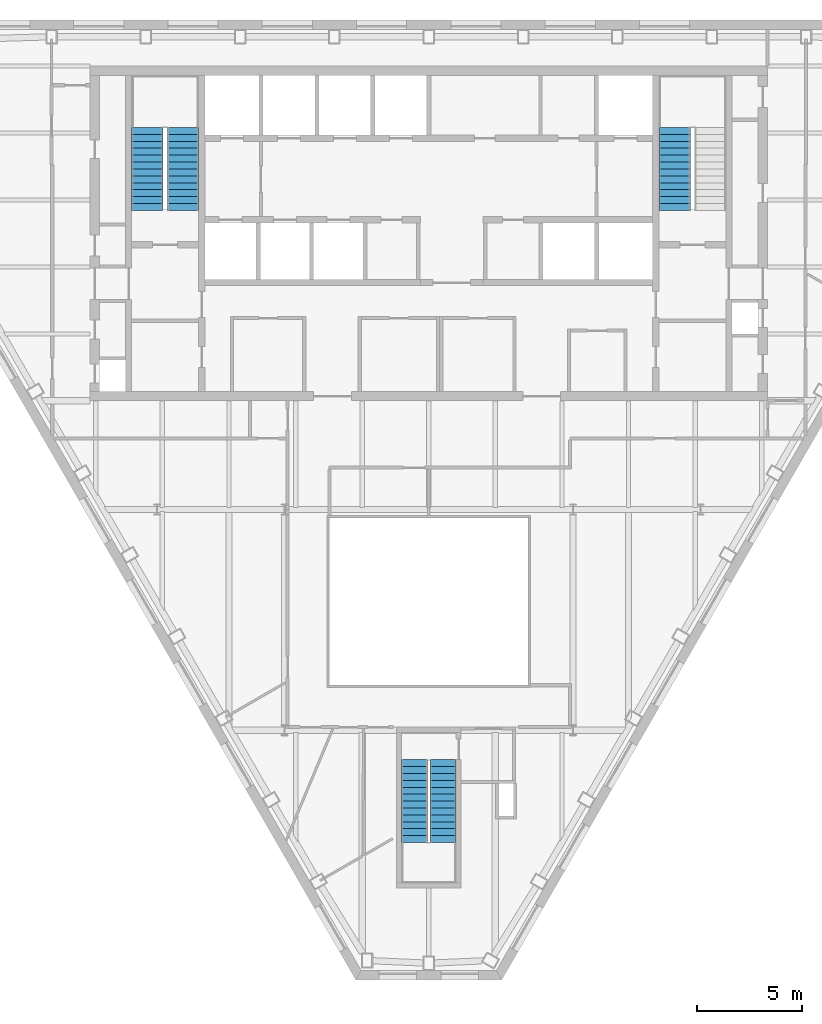
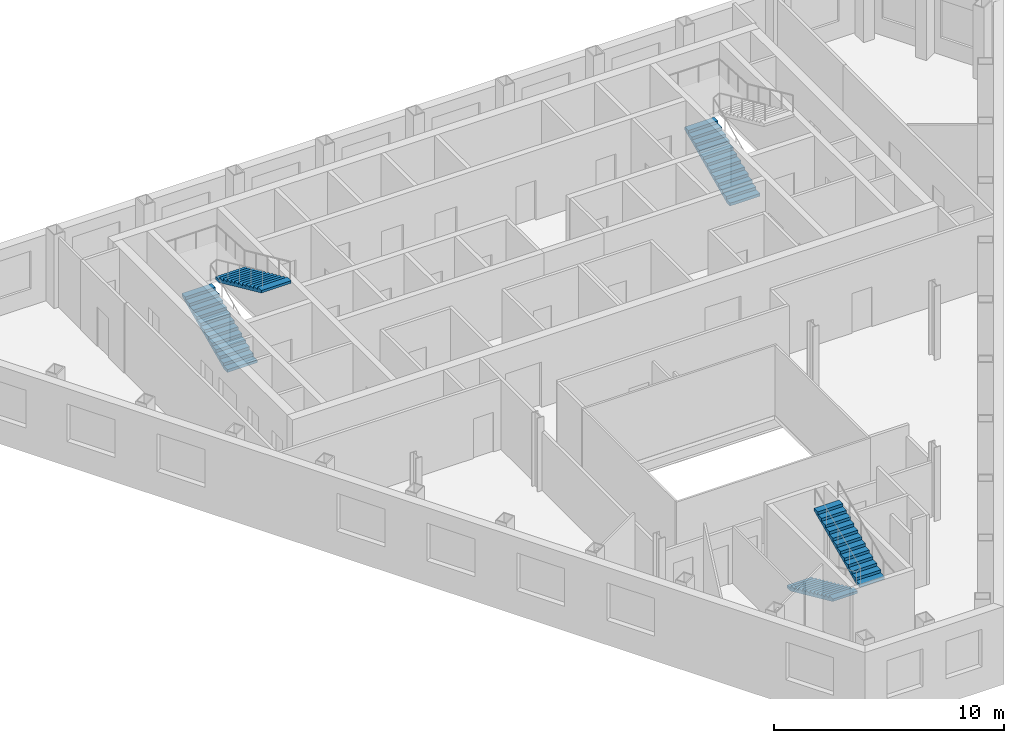
# One storey, part 9 of 11: 5 stair flights, 3 elements without a shape of their own.
"""IFC4 building model written with IfcOpenShell, lengths in metres."""

from ifc_helpers import new_model, si_unit, direction, frame, origin, place, context, subcontext, project, spatial, polygons, material, type_object, element, aggregate, save


model = new_model("IFC4")

# Units and contexts
model_context = context("Model", 3, precision=1e-05, world=origin(), true_north=direction((0.0, 1.0)))
body_context = subcontext(model_context, "Body", "Model", "MODEL_VIEW")
ifc_project = project(units=[si_unit("LENGTHUNIT", "METRE"), si_unit("AREAUNIT", "SQUARE_METRE"), si_unit("VOLUMEUNIT", "CUBIC_METRE"), si_unit("PLANEANGLEUNIT", "RADIAN"), si_unit("MASSUNIT", "GRAM", prefix="KILO")], contexts=[model_context])

# Site, building, storey
site_placement = place(None, origin())
site = spatial("IfcSite", under=ifc_project, at=site_placement, CompositionType="ELEMENT")
building_placement = place(site_placement, origin())
building = spatial("IfcBuilding", under=site, at=building_placement, Name="Njiva Tower", CompositionType="ELEMENT")
storey_placement = place(building_placement, frame((0.0, 0.0, 223.8)))
storey = spatial("IfcBuildingStorey", under=building, at=storey_placement, Name="L50", CompositionType="ELEMENT", Elevation=223.8)

# Stair, stair flights
ifc_material = material(Name="Concrete C40/50", Category="concrete")
stair_type_1 = type_object("IfcStairType", Name="ST1 Exit stair 1250", PredefinedType="HALF_TURN_STAIR", material=ifc_material)
stair_1_placement = place(storey_placement, origin())
stair_1 = element("IfcStair", 1, at=stair_1_placement, inside=storey, type_object=stair_type_1, Name="Stair C", PredefinedType="HALF_TURN_STAIR")
stair_flight_type_1 = type_object("IfcStairFlightType", Name="FL1 Stair flight 1250", PredefinedType="STRAIGHT", material=ifc_material)
stair_flight_1_placement = place(storey_placement, frame((-0.675, -15.16, 0.0), z_axis=(0.0, 0.0, 1.0), x_axis=(0.0, -1.0, 0.0)))
stair_flight_1 = element("IfcStairFlight", 2, at=stair_flight_1_placement, type_object=stair_flight_type_1, Name="ST-C flight 1", NumberOfRisers=13, NumberOfTreads=12, PredefinedType="STRAIGHT", RiserHeight=0.15, TreadLength=0.33, context=body_context, shape_type="Tessellation", body=[
    polygons([(0.0, 0.625, 0.0), (0.0, 0.3125, 0.0), (0.0, 0.0, 0.0), (0.0, -0.3125, 0.0), (0.0, -0.625, 0.0), (0.0, 0.625, 0.15), (0.0, 0.3125, 0.15), (0.0, 0.0, 0.15), (0.0, -0.3125, 0.15), (0.0, -0.625, 0.15), (0.33, 0.625, 0.15), (0.33, 0.3125, 0.15), (0.33, 0.0, 0.15), (0.33, -0.3125, 0.15), (0.33, -0.625, 0.15), (0.33, 0.625, 0.3), (0.33, 0.3125, 0.3), (0.33, 0.0, 0.3), (0.33, -0.3125, 0.3), (0.33, -0.625, 0.3), (0.66, 0.625, 0.3), (0.66, 0.3125, 0.3), (0.66, 0.0, 0.3), (0.66, -0.3125, 0.3), (0.66, -0.625, 0.3), (0.66, 0.625, 0.45), (0.66, 0.3125, 0.45), (0.66, 0.0, 0.45), (0.66, -0.3125, 0.45), (0.66, -0.625, 0.45), (0.99, 0.625, 0.45), (0.99, 0.3125, 0.45), (0.99, 0.0, 0.45), (0.99, -0.3125, 0.45), (0.99, -0.625, 0.45), (0.99, 0.625, 0.6), (0.99, 0.3125, 0.6), (0.99, 0.0, 0.6), (0.99, -0.3125, 0.6), (0.99, -0.625, 0.6), (1.32, 0.625, 0.6), (1.32, 0.3125, 0.6), (1.32, 0.0, 0.6), (1.32, -0.3125, 0.6), (1.32, -0.625, 0.6), (1.32, 0.625, 0.75), (1.32, 0.3125, 0.75), (1.32, 0.0, 0.75), (1.32, -0.3125, 0.75), (1.32, -0.625, 0.75), (1.65, 0.625, 0.75), (1.65, 0.3125, 0.75), (1.65, 0.0, 0.75), (1.65, -0.3125, 0.75), (1.65, -0.625, 0.75), (1.65, 0.625, 0.9), (1.65, 0.3125, 0.9), (1.65, 0.0, 0.9), (1.65, -0.3125, 0.9), (1.65, -0.625, 0.9), (1.98, 0.625, 0.9), (1.98, 0.3125, 0.9), (1.98, 0.0, 0.9), (1.98, -0.3125, 0.9), (1.98, -0.625, 0.9), (1.98, 0.625, 1.05), (1.98, 0.3125, 1.05), (1.98, 0.0, 1.05), (1.98, -0.3125, 1.05), (1.98, -0.625, 1.05), (2.31, 0.625, 1.05), (2.31, 0.3125, 1.05), (2.31, 0.0, 1.05), (2.31, -0.3125, 1.05), (2.31, -0.625, 1.05), (2.31, 0.625, 1.2), (2.31, 0.3125, 1.2), (2.31, 0.0, 1.2), (2.31, -0.3125, 1.2), (2.31, -0.625, 1.2), (2.64, 0.625, 1.2), (2.64, 0.3125, 1.2), (2.64, 0.0, 1.2), (2.64, -0.3125, 1.2), (2.64, -0.625, 1.2), (2.64, 0.625, 1.35), (2.64, 0.3125, 1.35), (2.64, 0.0, 1.35), (2.64, -0.3125, 1.35), (2.64, -0.625, 1.35), (2.97, 0.625, 1.35), (2.97, 0.3125, 1.35), (2.97, 0.0, 1.35), (2.97, -0.3125, 1.35), (2.97, -0.625, 1.35), (2.97, 0.625, 1.5), (2.97, 0.3125, 1.5), (2.97, 0.0, 1.5), (2.97, -0.3125, 1.5), (2.97, -0.625, 1.5), (3.3, 0.625, 1.5), (3.3, 0.3125, 1.5), (3.3, 0.0, 1.5), (3.3, -0.3125, 1.5), (3.3, -0.625, 1.5), (3.3, 0.625, 1.65), (3.3, 0.3125, 1.65), (3.3, 0.0, 1.65), (3.3, -0.3125, 1.65), (3.3, -0.625, 1.65), (3.63, 0.625, 1.65), (3.63, 0.3125, 1.65), (3.63, 0.0, 1.65), (3.63, -0.3125, 1.65), (3.63, -0.625, 1.65), (3.63, 0.625, 1.8), (3.63, 0.3125, 1.8), (3.63, 0.0, 1.8), (3.63, -0.3125, 1.8), (3.63, -0.625, 1.8), (3.96, 0.625, 1.8), (3.96, 0.3125, 1.8), (3.96, 0.0, 1.8), (3.96, -0.3125, 1.8), (3.96, -0.625, 1.8), (3.96, 0.625, 1.6682), (3.96, 0.3125, 1.6682), (3.96, 0.0, 1.6682), (3.96, -0.3125, 1.6682), (3.96, -0.625, 1.6682), (0.29, 0.625, 0.0), (0.29, 0.3125, 0.0), (0.29, 0.0, 0.0), (0.29, -0.3125, 0.0), (0.29, -0.625, 0.0)], [[[1, 6, 11, 16, 21, 26, 31, 36, 41, 46, 51, 56, 61, 66, 71, 76, 81, 86, 91, 96, 101, 106, 111, 116, 121, 126, 131]], [[135, 130, 125, 120, 115, 110, 105, 100, 95, 90, 85, 80, 75, 70, 65, 60, 55, 50, 45, 40, 35, 30, 25, 20, 15, 10, 5]], [[6, 1, 2, 7]], [[7, 2, 3, 8]], [[8, 3, 4, 9]], [[9, 4, 5, 10]], [[11, 6, 7, 12]], [[12, 7, 8, 13]], [[13, 8, 9, 14]], [[14, 9, 10, 15]], [[16, 11, 12, 17]], [[17, 12, 13, 18]], [[18, 13, 14, 19]], [[19, 14, 15, 20]], [[21, 16, 17, 22]], [[22, 17, 18, 23]], [[23, 18, 19, 24]], [[24, 19, 20, 25]], [[26, 21, 22, 27]], [[27, 22, 23, 28]], [[28, 23, 24, 29]], [[29, 24, 25, 30]], [[31, 26, 27, 32]], [[32, 27, 28, 33]], [[33, 28, 29, 34]], [[34, 29, 30, 35]], [[36, 31, 32, 37]], [[37, 32, 33, 38]], [[38, 33, 34, 39]], [[39, 34, 35, 40]], [[41, 36, 37, 42]], [[42, 37, 38, 43]], [[43, 38, 39, 44]], [[44, 39, 40, 45]], [[46, 41, 42, 47]], [[47, 42, 43, 48]], [[48, 43, 44, 49]], [[49, 44, 45, 50]], [[51, 46, 47, 52]], [[52, 47, 48, 53]], [[53, 48, 49, 54]], [[54, 49, 50, 55]], [[56, 51, 52, 57]], [[57, 52, 53, 58]], [[58, 53, 54, 59]], [[59, 54, 55, 60]], [[61, 56, 57, 62]], [[62, 57, 58, 63]], [[63, 58, 59, 64]], [[64, 59, 60, 65]], [[66, 61, 62, 67]], [[67, 62, 63, 68]], [[68, 63, 64, 69]], [[69, 64, 65, 70]], [[71, 66, 67, 72]], [[72, 67, 68, 73]], [[73, 68, 69, 74]], [[74, 69, 70, 75]], [[76, 71, 72, 77]], [[77, 72, 73, 78]], [[78, 73, 74, 79]], [[79, 74, 75, 80]], [[81, 76, 77, 82]], [[82, 77, 78, 83]], [[83, 78, 79, 84]], [[84, 79, 80, 85]], [[86, 81, 82, 87]], [[87, 82, 83, 88]], [[88, 83, 84, 89]], [[89, 84, 85, 90]], [[91, 86, 87, 92]], [[92, 87, 88, 93]], [[93, 88, 89, 94]], [[94, 89, 90, 95]], [[96, 91, 92, 97]], [[97, 92, 93, 98]], [[98, 93, 94, 99]], [[99, 94, 95, 100]], [[101, 96, 97, 102]], [[102, 97, 98, 103]], [[103, 98, 99, 104]], [[104, 99, 100, 105]], [[106, 101, 102, 107]], [[107, 102, 103, 108]], [[108, 103, 104, 109]], [[109, 104, 105, 110]], [[111, 106, 107, 112]], [[112, 107, 108, 113]], [[113, 108, 109, 114]], [[114, 109, 110, 115]], [[116, 111, 112, 117]], [[117, 112, 113, 118]], [[118, 113, 114, 119]], [[119, 114, 115, 120]], [[121, 116, 117, 122]], [[122, 117, 118, 123]], [[123, 118, 119, 124]], [[124, 119, 120, 125]], [[126, 121, 122, 127]], [[127, 122, 123, 128]], [[128, 123, 124, 129]], [[129, 124, 125, 130]], [[131, 126, 127, 132]], [[132, 127, 128, 133]], [[133, 128, 129, 134]], [[134, 129, 130, 135]], [[1, 131, 132, 2]], [[2, 132, 133, 3]], [[3, 133, 134, 4]], [[4, 134, 135, 5]]], closed=True),
])
stair_flight_2_placement = place(storey_placement, frame((0.675, -19.12, 1.95), z_axis=(0.0, 0.0, 1.0), x_axis=(0.0, 1.0, 0.0)))
stair_flight_2 = element("IfcStairFlight", 3, at=stair_flight_2_placement, type_object=stair_flight_type_1, Name="ST-C flight 2", NumberOfRisers=13, NumberOfTreads=12, PredefinedType="STRAIGHT", RiserHeight=0.15, TreadLength=0.33, context=body_context, shape_type="Tessellation", body=[
    polygons([(0.0, 0.625, 0.0), (0.0, 0.3125, 0.0), (0.0, 0.0, 0.0), (0.0, -0.3125, 0.0), (0.0, -0.625, 0.0), (0.0, 0.625, 0.15), (0.0, 0.3125, 0.15), (0.0, 0.0, 0.15), (0.0, -0.3125, 0.15), (0.0, -0.625, 0.15), (0.33, 0.625, 0.15), (0.33, 0.3125, 0.15), (0.33, 0.0, 0.15), (0.33, -0.3125, 0.15), (0.33, -0.625, 0.15), (0.33, 0.625, 0.3), (0.33, 0.3125, 0.3), (0.33, 0.0, 0.3), (0.33, -0.3125, 0.3), (0.33, -0.625, 0.3), (0.66, 0.625, 0.3), (0.66, 0.3125, 0.3), (0.66, 0.0, 0.3), (0.66, -0.3125, 0.3), (0.66, -0.625, 0.3), (0.66, 0.625, 0.45), (0.66, 0.3125, 0.45), (0.66, 0.0, 0.45), (0.66, -0.3125, 0.45), (0.66, -0.625, 0.45), (0.99, 0.625, 0.45), (0.99, 0.3125, 0.45), (0.99, 0.0, 0.45), (0.99, -0.3125, 0.45), (0.99, -0.625, 0.45), (0.99, 0.625, 0.6), (0.99, 0.3125, 0.6), (0.99, 0.0, 0.6), (0.99, -0.3125, 0.6), (0.99, -0.625, 0.6), (1.32, 0.625, 0.6), (1.32, 0.3125, 0.6), (1.32, 0.0, 0.6), (1.32, -0.3125, 0.6), (1.32, -0.625, 0.6), (1.32, 0.625, 0.75), (1.32, 0.3125, 0.75), (1.32, 0.0, 0.75), (1.32, -0.3125, 0.75), (1.32, -0.625, 0.75), (1.65, 0.625, 0.75), (1.65, 0.3125, 0.75), (1.65, 0.0, 0.75), (1.65, -0.3125, 0.75), (1.65, -0.625, 0.75), (1.65, 0.625, 0.9), (1.65, 0.3125, 0.9), (1.65, 0.0, 0.9), (1.65, -0.3125, 0.9), (1.65, -0.625, 0.9), (1.98, 0.625, 0.9), (1.98, 0.3125, 0.9), (1.98, 0.0, 0.9), (1.98, -0.3125, 0.9), (1.98, -0.625, 0.9), (1.98, 0.625, 1.05), (1.98, 0.3125, 1.05), (1.98, 0.0, 1.05), (1.98, -0.3125, 1.05), (1.98, -0.625, 1.05), (2.31, 0.625, 1.05), (2.31, 0.3125, 1.05), (2.31, 0.0, 1.05), (2.31, -0.3125, 1.05), (2.31, -0.625, 1.05), (2.31, 0.625, 1.2), (2.31, 0.3125, 1.2), (2.31, 0.0, 1.2), (2.31, -0.3125, 1.2), (2.31, -0.625, 1.2), (2.64, 0.625, 1.2), (2.64, 0.3125, 1.2), (2.64, 0.0, 1.2), (2.64, -0.3125, 1.2), (2.64, -0.625, 1.2), (2.64, 0.625, 1.35), (2.64, 0.3125, 1.35), (2.64, 0.0, 1.35), (2.64, -0.3125, 1.35), (2.64, -0.625, 1.35), (2.97, 0.625, 1.35), (2.97, 0.3125, 1.35), (2.97, 0.0, 1.35), (2.97, -0.3125, 1.35), (2.97, -0.625, 1.35), (2.97, 0.625, 1.5), (2.97, 0.3125, 1.5), (2.97, 0.0, 1.5), (2.97, -0.3125, 1.5), (2.97, -0.625, 1.5), (3.3, 0.625, 1.5), (3.3, 0.3125, 1.5), (3.3, 0.0, 1.5), (3.3, -0.3125, 1.5), (3.3, -0.625, 1.5), (3.3, 0.625, 1.65), (3.3, 0.3125, 1.65), (3.3, 0.0, 1.65), (3.3, -0.3125, 1.65), (3.3, -0.625, 1.65), (3.63, 0.625, 1.65), (3.63, 0.3125, 1.65), (3.63, 0.0, 1.65), (3.63, -0.3125, 1.65), (3.63, -0.625, 1.65), (3.63, 0.625, 1.8), (3.63, 0.3125, 1.8), (3.63, 0.0, 1.8), (3.63, -0.3125, 1.8), (3.63, -0.625, 1.8), (3.96, 0.625, 1.8), (3.96, 0.3125, 1.8), (3.96, 0.0, 1.8), (3.96, -0.3125, 1.8), (3.96, -0.625, 1.8), (3.96, 0.625, 1.6682), (3.96, 0.3125, 1.6682), (3.96, 0.0, 1.6682), (3.96, -0.3125, 1.6682), (3.96, -0.625, 1.6682), (0.29, 0.625, 0.0), (0.29, 0.3125, 0.0), (0.29, 0.0, 0.0), (0.29, -0.3125, 0.0), (0.29, -0.625, 0.0)], [[[1, 6, 11, 16, 21, 26, 31, 36, 41, 46, 51, 56, 61, 66, 71, 76, 81, 86, 91, 96, 101, 106, 111, 116, 121, 126, 131]], [[135, 130, 125, 120, 115, 110, 105, 100, 95, 90, 85, 80, 75, 70, 65, 60, 55, 50, 45, 40, 35, 30, 25, 20, 15, 10, 5]], [[6, 1, 2, 7]], [[7, 2, 3, 8]], [[8, 3, 4, 9]], [[9, 4, 5, 10]], [[11, 6, 7, 12]], [[12, 7, 8, 13]], [[13, 8, 9, 14]], [[14, 9, 10, 15]], [[16, 11, 12, 17]], [[17, 12, 13, 18]], [[18, 13, 14, 19]], [[19, 14, 15, 20]], [[21, 16, 17, 22]], [[22, 17, 18, 23]], [[23, 18, 19, 24]], [[24, 19, 20, 25]], [[26, 21, 22, 27]], [[27, 22, 23, 28]], [[28, 23, 24, 29]], [[29, 24, 25, 30]], [[31, 26, 27, 32]], [[32, 27, 28, 33]], [[33, 28, 29, 34]], [[34, 29, 30, 35]], [[36, 31, 32, 37]], [[37, 32, 33, 38]], [[38, 33, 34, 39]], [[39, 34, 35, 40]], [[41, 36, 37, 42]], [[42, 37, 38, 43]], [[43, 38, 39, 44]], [[44, 39, 40, 45]], [[46, 41, 42, 47]], [[47, 42, 43, 48]], [[48, 43, 44, 49]], [[49, 44, 45, 50]], [[51, 46, 47, 52]], [[52, 47, 48, 53]], [[53, 48, 49, 54]], [[54, 49, 50, 55]], [[56, 51, 52, 57]], [[57, 52, 53, 58]], [[58, 53, 54, 59]], [[59, 54, 55, 60]], [[61, 56, 57, 62]], [[62, 57, 58, 63]], [[63, 58, 59, 64]], [[64, 59, 60, 65]], [[66, 61, 62, 67]], [[67, 62, 63, 68]], [[68, 63, 64, 69]], [[69, 64, 65, 70]], [[71, 66, 67, 72]], [[72, 67, 68, 73]], [[73, 68, 69, 74]], [[74, 69, 70, 75]], [[76, 71, 72, 77]], [[77, 72, 73, 78]], [[78, 73, 74, 79]], [[79, 74, 75, 80]], [[81, 76, 77, 82]], [[82, 77, 78, 83]], [[83, 78, 79, 84]], [[84, 79, 80, 85]], [[86, 81, 82, 87]], [[87, 82, 83, 88]], [[88, 83, 84, 89]], [[89, 84, 85, 90]], [[91, 86, 87, 92]], [[92, 87, 88, 93]], [[93, 88, 89, 94]], [[94, 89, 90, 95]], [[96, 91, 92, 97]], [[97, 92, 93, 98]], [[98, 93, 94, 99]], [[99, 94, 95, 100]], [[101, 96, 97, 102]], [[102, 97, 98, 103]], [[103, 98, 99, 104]], [[104, 99, 100, 105]], [[106, 101, 102, 107]], [[107, 102, 103, 108]], [[108, 103, 104, 109]], [[109, 104, 105, 110]], [[111, 106, 107, 112]], [[112, 107, 108, 113]], [[113, 108, 109, 114]], [[114, 109, 110, 115]], [[116, 111, 112, 117]], [[117, 112, 113, 118]], [[118, 113, 114, 119]], [[119, 114, 115, 120]], [[121, 116, 117, 122]], [[122, 117, 118, 123]], [[123, 118, 119, 124]], [[124, 119, 120, 125]], [[126, 121, 122, 127]], [[127, 122, 123, 128]], [[128, 123, 124, 129]], [[129, 124, 125, 130]], [[131, 126, 127, 132]], [[132, 127, 128, 133]], [[133, 128, 129, 134]], [[134, 129, 130, 135]], [[1, 131, 132, 2]], [[2, 132, 133, 3]], [[3, 133, 134, 4]], [[4, 134, 135, 5]]], closed=True),
])
aggregate(stair_1, [stair_flight_1, stair_flight_2])

stair_type_2 = type_object("IfcStairType", Name="ST4 Exit stair 1500", PredefinedType="HALF_TURN_STAIR", material=ifc_material)
stair_2_placement = place(storey_placement, origin())
stair_2 = element("IfcStair", 4, at=stair_2_placement, inside=storey, type_object=stair_type_2, Name="Stair A", PredefinedType="HALF_TURN_STAIR")
stair_flight_type_2 = type_object("IfcStairFlightType", Name="FL4 Stair flight 1500", PredefinedType="STRAIGHT", material=ifc_material)
stair_flight_3_placement = place(storey_placement, frame((-13.45, 11.1, 0.0), z_axis=(0.0, 0.0, 1.0), x_axis=(0.0, 1.0, 0.0)))
stair_flight_3 = element("IfcStairFlight", 5, at=stair_flight_3_placement, type_object=stair_flight_type_2, Name="ST-A flight 1", NumberOfRisers=13, NumberOfTreads=12, PredefinedType="STRAIGHT", RiserHeight=0.15, TreadLength=0.33, context=body_context, shape_type="Tessellation", body=[
    polygons([(0.0, 0.75, 0.0), (0.0, 0.375, 0.0), (0.0, 0.0, 0.0), (0.0, -0.375, 0.0), (0.0, -0.75, 0.0), (0.0, 0.75, 0.15), (0.0, 0.375, 0.15), (0.0, 0.0, 0.15), (0.0, -0.375, 0.15), (0.0, -0.75, 0.15), (0.33, 0.75, 0.15), (0.33, 0.375, 0.15), (0.33, 0.0, 0.15), (0.33, -0.375, 0.15), (0.33, -0.75, 0.15), (0.33, 0.75, 0.3), (0.33, 0.375, 0.3), (0.33, 0.0, 0.3), (0.33, -0.375, 0.3), (0.33, -0.75, 0.3), (0.66, 0.75, 0.3), (0.66, 0.375, 0.3), (0.66, 0.0, 0.3), (0.66, -0.375, 0.3), (0.66, -0.75, 0.3), (0.66, 0.75, 0.45), (0.66, 0.375, 0.45), (0.66, 0.0, 0.45), (0.66, -0.375, 0.45), (0.66, -0.75, 0.45), (0.99, 0.75, 0.45), (0.99, 0.375, 0.45), (0.99, 0.0, 0.45), (0.99, -0.375, 0.45), (0.99, -0.75, 0.45), (0.99, 0.75, 0.6), (0.99, 0.375, 0.6), (0.99, 0.0, 0.6), (0.99, -0.375, 0.6), (0.99, -0.75, 0.6), (1.32, 0.75, 0.6), (1.32, 0.375, 0.6), (1.32, 0.0, 0.6), (1.32, -0.375, 0.6), (1.32, -0.75, 0.6), (1.32, 0.75, 0.75), (1.32, 0.375, 0.75), (1.32, 0.0, 0.75), (1.32, -0.375, 0.75), (1.32, -0.75, 0.75), (1.65, 0.75, 0.75), (1.65, 0.375, 0.75), (1.65, 0.0, 0.75), (1.65, -0.375, 0.75), (1.65, -0.75, 0.75), (1.65, 0.75, 0.9), (1.65, 0.375, 0.9), (1.65, 0.0, 0.9), (1.65, -0.375, 0.9), (1.65, -0.75, 0.9), (1.98, 0.75, 0.9), (1.98, 0.375, 0.9), (1.98, 0.0, 0.9), (1.98, -0.375, 0.9), (1.98, -0.75, 0.9), (1.98, 0.75, 1.05), (1.98, 0.375, 1.05), (1.98, 0.0, 1.05), (1.98, -0.375, 1.05), (1.98, -0.75, 1.05), (2.31, 0.75, 1.05), (2.31, 0.375, 1.05), (2.31, 0.0, 1.05), (2.31, -0.375, 1.05), (2.31, -0.75, 1.05), (2.31, 0.75, 1.2), (2.31, 0.375, 1.2), (2.31, 0.0, 1.2), (2.31, -0.375, 1.2), (2.31, -0.75, 1.2), (2.64, 0.75, 1.2), (2.64, 0.375, 1.2), (2.64, 0.0, 1.2), (2.64, -0.375, 1.2), (2.64, -0.75, 1.2), (2.64, 0.75, 1.35), (2.64, 0.375, 1.35), (2.64, 0.0, 1.35), (2.64, -0.375, 1.35), (2.64, -0.75, 1.35), (2.97, 0.75, 1.35), (2.97, 0.375, 1.35), (2.97, 0.0, 1.35), (2.97, -0.375, 1.35), (2.97, -0.75, 1.35), (2.97, 0.75, 1.5), (2.97, 0.375, 1.5), (2.97, 0.0, 1.5), (2.97, -0.375, 1.5), (2.97, -0.75, 1.5), (3.3, 0.75, 1.5), (3.3, 0.375, 1.5), (3.3, 0.0, 1.5), (3.3, -0.375, 1.5), (3.3, -0.75, 1.5), (3.3, 0.75, 1.65), (3.3, 0.375, 1.65), (3.3, 0.0, 1.65), (3.3, -0.375, 1.65), (3.3, -0.75, 1.65), (3.63, 0.75, 1.65), (3.63, 0.375, 1.65), (3.63, 0.0, 1.65), (3.63, -0.375, 1.65), (3.63, -0.75, 1.65), (3.63, 0.75, 1.8), (3.63, 0.375, 1.8), (3.63, 0.0, 1.8), (3.63, -0.375, 1.8), (3.63, -0.75, 1.8), (3.96, 0.75, 1.8), (3.96, 0.375, 1.8), (3.96, 0.0, 1.8), (3.96, -0.375, 1.8), (3.96, -0.75, 1.8), (3.96, 0.75, 1.6682), (3.96, 0.375, 1.6682), (3.96, 0.0, 1.6682), (3.96, -0.375, 1.6682), (3.96, -0.75, 1.6682), (0.29, 0.75, 0.0), (0.29, 0.375, 0.0), (0.29, 0.0, 0.0), (0.29, -0.375, 0.0), (0.29, -0.75, 0.0)], [[[1, 6, 11, 16, 21, 26, 31, 36, 41, 46, 51, 56, 61, 66, 71, 76, 81, 86, 91, 96, 101, 106, 111, 116, 121, 126, 131]], [[135, 130, 125, 120, 115, 110, 105, 100, 95, 90, 85, 80, 75, 70, 65, 60, 55, 50, 45, 40, 35, 30, 25, 20, 15, 10, 5]], [[6, 1, 2, 7]], [[7, 2, 3, 8]], [[8, 3, 4, 9]], [[9, 4, 5, 10]], [[11, 6, 7, 12]], [[12, 7, 8, 13]], [[13, 8, 9, 14]], [[14, 9, 10, 15]], [[16, 11, 12, 17]], [[17, 12, 13, 18]], [[18, 13, 14, 19]], [[19, 14, 15, 20]], [[21, 16, 17, 22]], [[22, 17, 18, 23]], [[23, 18, 19, 24]], [[24, 19, 20, 25]], [[26, 21, 22, 27]], [[27, 22, 23, 28]], [[28, 23, 24, 29]], [[29, 24, 25, 30]], [[31, 26, 27, 32]], [[32, 27, 28, 33]], [[33, 28, 29, 34]], [[34, 29, 30, 35]], [[36, 31, 32, 37]], [[37, 32, 33, 38]], [[38, 33, 34, 39]], [[39, 34, 35, 40]], [[41, 36, 37, 42]], [[42, 37, 38, 43]], [[43, 38, 39, 44]], [[44, 39, 40, 45]], [[46, 41, 42, 47]], [[47, 42, 43, 48]], [[48, 43, 44, 49]], [[49, 44, 45, 50]], [[51, 46, 47, 52]], [[52, 47, 48, 53]], [[53, 48, 49, 54]], [[54, 49, 50, 55]], [[56, 51, 52, 57]], [[57, 52, 53, 58]], [[58, 53, 54, 59]], [[59, 54, 55, 60]], [[61, 56, 57, 62]], [[62, 57, 58, 63]], [[63, 58, 59, 64]], [[64, 59, 60, 65]], [[66, 61, 62, 67]], [[67, 62, 63, 68]], [[68, 63, 64, 69]], [[69, 64, 65, 70]], [[71, 66, 67, 72]], [[72, 67, 68, 73]], [[73, 68, 69, 74]], [[74, 69, 70, 75]], [[76, 71, 72, 77]], [[77, 72, 73, 78]], [[78, 73, 74, 79]], [[79, 74, 75, 80]], [[81, 76, 77, 82]], [[82, 77, 78, 83]], [[83, 78, 79, 84]], [[84, 79, 80, 85]], [[86, 81, 82, 87]], [[87, 82, 83, 88]], [[88, 83, 84, 89]], [[89, 84, 85, 90]], [[91, 86, 87, 92]], [[92, 87, 88, 93]], [[93, 88, 89, 94]], [[94, 89, 90, 95]], [[96, 91, 92, 97]], [[97, 92, 93, 98]], [[98, 93, 94, 99]], [[99, 94, 95, 100]], [[101, 96, 97, 102]], [[102, 97, 98, 103]], [[103, 98, 99, 104]], [[104, 99, 100, 105]], [[106, 101, 102, 107]], [[107, 102, 103, 108]], [[108, 103, 104, 109]], [[109, 104, 105, 110]], [[111, 106, 107, 112]], [[112, 107, 108, 113]], [[113, 108, 109, 114]], [[114, 109, 110, 115]], [[116, 111, 112, 117]], [[117, 112, 113, 118]], [[118, 113, 114, 119]], [[119, 114, 115, 120]], [[121, 116, 117, 122]], [[122, 117, 118, 123]], [[123, 118, 119, 124]], [[124, 119, 120, 125]], [[126, 121, 122, 127]], [[127, 122, 123, 128]], [[128, 123, 124, 129]], [[129, 124, 125, 130]], [[131, 126, 127, 132]], [[132, 127, 128, 133]], [[133, 128, 129, 134]], [[134, 129, 130, 135]], [[1, 131, 132, 2]], [[2, 132, 133, 3]], [[3, 133, 134, 4]], [[4, 134, 135, 5]]], closed=True),
])
stair_flight_4_placement = place(storey_placement, frame((-11.75, 15.06, 1.95), z_axis=(0.0, 0.0, 1.0), x_axis=(0.0, -1.0, 0.0)))
stair_flight_4 = element("IfcStairFlight", 6, at=stair_flight_4_placement, type_object=stair_flight_type_2, Name="ST-A flight 2", NumberOfRisers=13, NumberOfTreads=12, PredefinedType="STRAIGHT", RiserHeight=0.15, TreadLength=0.33, context=body_context, shape_type="Tessellation", body=[
    polygons([(0.0, 0.75, 0.0), (0.0, 0.375, 0.0), (0.0, 0.0, 0.0), (0.0, -0.375, 0.0), (0.0, -0.75, 0.0), (0.0, 0.75, 0.15), (0.0, 0.375, 0.15), (0.0, 0.0, 0.15), (0.0, -0.375, 0.15), (0.0, -0.75, 0.15), (0.33, 0.75, 0.15), (0.33, 0.375, 0.15), (0.33, 0.0, 0.15), (0.33, -0.375, 0.15), (0.33, -0.75, 0.15), (0.33, 0.75, 0.3), (0.33, 0.375, 0.3), (0.33, 0.0, 0.3), (0.33, -0.375, 0.3), (0.33, -0.75, 0.3), (0.66, 0.75, 0.3), (0.66, 0.375, 0.3), (0.66, 0.0, 0.3), (0.66, -0.375, 0.3), (0.66, -0.75, 0.3), (0.66, 0.75, 0.45), (0.66, 0.375, 0.45), (0.66, 0.0, 0.45), (0.66, -0.375, 0.45), (0.66, -0.75, 0.45), (0.99, 0.75, 0.45), (0.99, 0.375, 0.45), (0.99, 0.0, 0.45), (0.99, -0.375, 0.45), (0.99, -0.75, 0.45), (0.99, 0.75, 0.6), (0.99, 0.375, 0.6), (0.99, 0.0, 0.6), (0.99, -0.375, 0.6), (0.99, -0.75, 0.6), (1.32, 0.75, 0.6), (1.32, 0.375, 0.6), (1.32, 0.0, 0.6), (1.32, -0.375, 0.6), (1.32, -0.75, 0.6), (1.32, 0.75, 0.75), (1.32, 0.375, 0.75), (1.32, 0.0, 0.75), (1.32, -0.375, 0.75), (1.32, -0.75, 0.75), (1.65, 0.75, 0.75), (1.65, 0.375, 0.75), (1.65, 0.0, 0.75), (1.65, -0.375, 0.75), (1.65, -0.75, 0.75), (1.65, 0.75, 0.9), (1.65, 0.375, 0.9), (1.65, 0.0, 0.9), (1.65, -0.375, 0.9), (1.65, -0.75, 0.9), (1.98, 0.75, 0.9), (1.98, 0.375, 0.9), (1.98, 0.0, 0.9), (1.98, -0.375, 0.9), (1.98, -0.75, 0.9), (1.98, 0.75, 1.05), (1.98, 0.375, 1.05), (1.98, 0.0, 1.05), (1.98, -0.375, 1.05), (1.98, -0.75, 1.05), (2.31, 0.75, 1.05), (2.31, 0.375, 1.05), (2.31, 0.0, 1.05), (2.31, -0.375, 1.05), (2.31, -0.75, 1.05), (2.31, 0.75, 1.2), (2.31, 0.375, 1.2), (2.31, 0.0, 1.2), (2.31, -0.375, 1.2), (2.31, -0.75, 1.2), (2.64, 0.75, 1.2), (2.64, 0.375, 1.2), (2.64, 0.0, 1.2), (2.64, -0.375, 1.2), (2.64, -0.75, 1.2), (2.64, 0.75, 1.35), (2.64, 0.375, 1.35), (2.64, 0.0, 1.35), (2.64, -0.375, 1.35), (2.64, -0.75, 1.35), (2.97, 0.75, 1.35), (2.97, 0.375, 1.35), (2.97, 0.0, 1.35), (2.97, -0.375, 1.35), (2.97, -0.75, 1.35), (2.97, 0.75, 1.5), (2.97, 0.375, 1.5), (2.97, 0.0, 1.5), (2.97, -0.375, 1.5), (2.97, -0.75, 1.5), (3.3, 0.75, 1.5), (3.3, 0.375, 1.5), (3.3, 0.0, 1.5), (3.3, -0.375, 1.5), (3.3, -0.75, 1.5), (3.3, 0.75, 1.65), (3.3, 0.375, 1.65), (3.3, 0.0, 1.65), (3.3, -0.375, 1.65), (3.3, -0.75, 1.65), (3.63, 0.75, 1.65), (3.63, 0.375, 1.65), (3.63, 0.0, 1.65), (3.63, -0.375, 1.65), (3.63, -0.75, 1.65), (3.63, 0.75, 1.8), (3.63, 0.375, 1.8), (3.63, 0.0, 1.8), (3.63, -0.375, 1.8), (3.63, -0.75, 1.8), (3.96, 0.75, 1.8), (3.96, 0.375, 1.8), (3.96, 0.0, 1.8), (3.96, -0.375, 1.8), (3.96, -0.75, 1.8), (3.96, 0.75, 1.6682), (3.96, 0.375, 1.6682), (3.96, 0.0, 1.6682), (3.96, -0.375, 1.6682), (3.96, -0.75, 1.6682), (0.29, 0.75, 0.0), (0.29, 0.375, 0.0), (0.29, 0.0, 0.0), (0.29, -0.375, 0.0), (0.29, -0.75, 0.0)], [[[1, 6, 11, 16, 21, 26, 31, 36, 41, 46, 51, 56, 61, 66, 71, 76, 81, 86, 91, 96, 101, 106, 111, 116, 121, 126, 131]], [[135, 130, 125, 120, 115, 110, 105, 100, 95, 90, 85, 80, 75, 70, 65, 60, 55, 50, 45, 40, 35, 30, 25, 20, 15, 10, 5]], [[6, 1, 2, 7]], [[7, 2, 3, 8]], [[8, 3, 4, 9]], [[9, 4, 5, 10]], [[11, 6, 7, 12]], [[12, 7, 8, 13]], [[13, 8, 9, 14]], [[14, 9, 10, 15]], [[16, 11, 12, 17]], [[17, 12, 13, 18]], [[18, 13, 14, 19]], [[19, 14, 15, 20]], [[21, 16, 17, 22]], [[22, 17, 18, 23]], [[23, 18, 19, 24]], [[24, 19, 20, 25]], [[26, 21, 22, 27]], [[27, 22, 23, 28]], [[28, 23, 24, 29]], [[29, 24, 25, 30]], [[31, 26, 27, 32]], [[32, 27, 28, 33]], [[33, 28, 29, 34]], [[34, 29, 30, 35]], [[36, 31, 32, 37]], [[37, 32, 33, 38]], [[38, 33, 34, 39]], [[39, 34, 35, 40]], [[41, 36, 37, 42]], [[42, 37, 38, 43]], [[43, 38, 39, 44]], [[44, 39, 40, 45]], [[46, 41, 42, 47]], [[47, 42, 43, 48]], [[48, 43, 44, 49]], [[49, 44, 45, 50]], [[51, 46, 47, 52]], [[52, 47, 48, 53]], [[53, 48, 49, 54]], [[54, 49, 50, 55]], [[56, 51, 52, 57]], [[57, 52, 53, 58]], [[58, 53, 54, 59]], [[59, 54, 55, 60]], [[61, 56, 57, 62]], [[62, 57, 58, 63]], [[63, 58, 59, 64]], [[64, 59, 60, 65]], [[66, 61, 62, 67]], [[67, 62, 63, 68]], [[68, 63, 64, 69]], [[69, 64, 65, 70]], [[71, 66, 67, 72]], [[72, 67, 68, 73]], [[73, 68, 69, 74]], [[74, 69, 70, 75]], [[76, 71, 72, 77]], [[77, 72, 73, 78]], [[78, 73, 74, 79]], [[79, 74, 75, 80]], [[81, 76, 77, 82]], [[82, 77, 78, 83]], [[83, 78, 79, 84]], [[84, 79, 80, 85]], [[86, 81, 82, 87]], [[87, 82, 83, 88]], [[88, 83, 84, 89]], [[89, 84, 85, 90]], [[91, 86, 87, 92]], [[92, 87, 88, 93]], [[93, 88, 89, 94]], [[94, 89, 90, 95]], [[96, 91, 92, 97]], [[97, 92, 93, 98]], [[98, 93, 94, 99]], [[99, 94, 95, 100]], [[101, 96, 97, 102]], [[102, 97, 98, 103]], [[103, 98, 99, 104]], [[104, 99, 100, 105]], [[106, 101, 102, 107]], [[107, 102, 103, 108]], [[108, 103, 104, 109]], [[109, 104, 105, 110]], [[111, 106, 107, 112]], [[112, 107, 108, 113]], [[113, 108, 109, 114]], [[114, 109, 110, 115]], [[116, 111, 112, 117]], [[117, 112, 113, 118]], [[118, 113, 114, 119]], [[119, 114, 115, 120]], [[121, 116, 117, 122]], [[122, 117, 118, 123]], [[123, 118, 119, 124]], [[124, 119, 120, 125]], [[126, 121, 122, 127]], [[127, 122, 123, 128]], [[128, 123, 124, 129]], [[129, 124, 125, 130]], [[131, 126, 127, 132]], [[132, 127, 128, 133]], [[133, 128, 129, 134]], [[134, 129, 130, 135]], [[1, 131, 132, 2]], [[2, 132, 133, 3]], [[3, 133, 134, 4]], [[4, 134, 135, 5]]], closed=True),
])
aggregate(stair_2, [stair_flight_3, stair_flight_4])

# Stair, stair flight
stair_3_placement = place(storey_placement, origin())
stair_3 = element("IfcStair", 7, at=stair_3_placement, inside=storey, type_object=stair_type_2, Name="Stair B", PredefinedType="HALF_TURN_STAIR")
stair_flight_5_placement = place(storey_placement, frame((11.75, 11.1, 0.0), z_axis=(0.0, 0.0, 1.0), x_axis=(0.0, 1.0, 0.0)))
stair_flight_5 = element("IfcStairFlight", 8, at=stair_flight_5_placement, type_object=stair_flight_type_2, Name="ST-B flight 1", NumberOfRisers=13, NumberOfTreads=12, PredefinedType="STRAIGHT", RiserHeight=0.15, TreadLength=0.33, context=body_context, shape_type="Tessellation", body=[
    polygons([(0.0, 0.75, 0.0), (0.0, 0.375, 0.0), (0.0, 0.0, 0.0), (0.0, -0.375, 0.0), (0.0, -0.75, 0.0), (0.0, 0.75, 0.15), (0.0, 0.375, 0.15), (0.0, 0.0, 0.15), (0.0, -0.375, 0.15), (0.0, -0.75, 0.15), (0.33, 0.75, 0.15), (0.33, 0.375, 0.15), (0.33, 0.0, 0.15), (0.33, -0.375, 0.15), (0.33, -0.75, 0.15), (0.33, 0.75, 0.3), (0.33, 0.375, 0.3), (0.33, 0.0, 0.3), (0.33, -0.375, 0.3), (0.33, -0.75, 0.3), (0.66, 0.75, 0.3), (0.66, 0.375, 0.3), (0.66, 0.0, 0.3), (0.66, -0.375, 0.3), (0.66, -0.75, 0.3), (0.66, 0.75, 0.45), (0.66, 0.375, 0.45), (0.66, 0.0, 0.45), (0.66, -0.375, 0.45), (0.66, -0.75, 0.45), (0.99, 0.75, 0.45), (0.99, 0.375, 0.45), (0.99, 0.0, 0.45), (0.99, -0.375, 0.45), (0.99, -0.75, 0.45), (0.99, 0.75, 0.6), (0.99, 0.375, 0.6), (0.99, 0.0, 0.6), (0.99, -0.375, 0.6), (0.99, -0.75, 0.6), (1.32, 0.75, 0.6), (1.32, 0.375, 0.6), (1.32, 0.0, 0.6), (1.32, -0.375, 0.6), (1.32, -0.75, 0.6), (1.32, 0.75, 0.75), (1.32, 0.375, 0.75), (1.32, 0.0, 0.75), (1.32, -0.375, 0.75), (1.32, -0.75, 0.75), (1.65, 0.75, 0.75), (1.65, 0.375, 0.75), (1.65, 0.0, 0.75), (1.65, -0.375, 0.75), (1.65, -0.75, 0.75), (1.65, 0.75, 0.9), (1.65, 0.375, 0.9), (1.65, 0.0, 0.9), (1.65, -0.375, 0.9), (1.65, -0.75, 0.9), (1.98, 0.75, 0.9), (1.98, 0.375, 0.9), (1.98, 0.0, 0.9), (1.98, -0.375, 0.9), (1.98, -0.75, 0.9), (1.98, 0.75, 1.05), (1.98, 0.375, 1.05), (1.98, 0.0, 1.05), (1.98, -0.375, 1.05), (1.98, -0.75, 1.05), (2.31, 0.75, 1.05), (2.31, 0.375, 1.05), (2.31, 0.0, 1.05), (2.31, -0.375, 1.05), (2.31, -0.75, 1.05), (2.31, 0.75, 1.2), (2.31, 0.375, 1.2), (2.31, 0.0, 1.2), (2.31, -0.375, 1.2), (2.31, -0.75, 1.2), (2.64, 0.75, 1.2), (2.64, 0.375, 1.2), (2.64, 0.0, 1.2), (2.64, -0.375, 1.2), (2.64, -0.75, 1.2), (2.64, 0.75, 1.35), (2.64, 0.375, 1.35), (2.64, 0.0, 1.35), (2.64, -0.375, 1.35), (2.64, -0.75, 1.35), (2.97, 0.75, 1.35), (2.97, 0.375, 1.35), (2.97, 0.0, 1.35), (2.97, -0.375, 1.35), (2.97, -0.75, 1.35), (2.97, 0.75, 1.5), (2.97, 0.375, 1.5), (2.97, 0.0, 1.5), (2.97, -0.375, 1.5), (2.97, -0.75, 1.5), (3.3, 0.75, 1.5), (3.3, 0.375, 1.5), (3.3, 0.0, 1.5), (3.3, -0.375, 1.5), (3.3, -0.75, 1.5), (3.3, 0.75, 1.65), (3.3, 0.375, 1.65), (3.3, 0.0, 1.65), (3.3, -0.375, 1.65), (3.3, -0.75, 1.65), (3.63, 0.75, 1.65), (3.63, 0.375, 1.65), (3.63, 0.0, 1.65), (3.63, -0.375, 1.65), (3.63, -0.75, 1.65), (3.63, 0.75, 1.8), (3.63, 0.375, 1.8), (3.63, 0.0, 1.8), (3.63, -0.375, 1.8), (3.63, -0.75, 1.8), (3.96, 0.75, 1.8), (3.96, 0.375, 1.8), (3.96, 0.0, 1.8), (3.96, -0.375, 1.8), (3.96, -0.75, 1.8), (3.96, 0.75, 1.6682), (3.96, 0.375, 1.6682), (3.96, 0.0, 1.6682), (3.96, -0.375, 1.6682), (3.96, -0.75, 1.6682), (0.29, 0.75, 0.0), (0.29, 0.375, 0.0), (0.29, 0.0, 0.0), (0.29, -0.375, 0.0), (0.29, -0.75, 0.0)], [[[1, 6, 11, 16, 21, 26, 31, 36, 41, 46, 51, 56, 61, 66, 71, 76, 81, 86, 91, 96, 101, 106, 111, 116, 121, 126, 131]], [[135, 130, 125, 120, 115, 110, 105, 100, 95, 90, 85, 80, 75, 70, 65, 60, 55, 50, 45, 40, 35, 30, 25, 20, 15, 10, 5]], [[6, 1, 2, 7]], [[7, 2, 3, 8]], [[8, 3, 4, 9]], [[9, 4, 5, 10]], [[11, 6, 7, 12]], [[12, 7, 8, 13]], [[13, 8, 9, 14]], [[14, 9, 10, 15]], [[16, 11, 12, 17]], [[17, 12, 13, 18]], [[18, 13, 14, 19]], [[19, 14, 15, 20]], [[21, 16, 17, 22]], [[22, 17, 18, 23]], [[23, 18, 19, 24]], [[24, 19, 20, 25]], [[26, 21, 22, 27]], [[27, 22, 23, 28]], [[28, 23, 24, 29]], [[29, 24, 25, 30]], [[31, 26, 27, 32]], [[32, 27, 28, 33]], [[33, 28, 29, 34]], [[34, 29, 30, 35]], [[36, 31, 32, 37]], [[37, 32, 33, 38]], [[38, 33, 34, 39]], [[39, 34, 35, 40]], [[41, 36, 37, 42]], [[42, 37, 38, 43]], [[43, 38, 39, 44]], [[44, 39, 40, 45]], [[46, 41, 42, 47]], [[47, 42, 43, 48]], [[48, 43, 44, 49]], [[49, 44, 45, 50]], [[51, 46, 47, 52]], [[52, 47, 48, 53]], [[53, 48, 49, 54]], [[54, 49, 50, 55]], [[56, 51, 52, 57]], [[57, 52, 53, 58]], [[58, 53, 54, 59]], [[59, 54, 55, 60]], [[61, 56, 57, 62]], [[62, 57, 58, 63]], [[63, 58, 59, 64]], [[64, 59, 60, 65]], [[66, 61, 62, 67]], [[67, 62, 63, 68]], [[68, 63, 64, 69]], [[69, 64, 65, 70]], [[71, 66, 67, 72]], [[72, 67, 68, 73]], [[73, 68, 69, 74]], [[74, 69, 70, 75]], [[76, 71, 72, 77]], [[77, 72, 73, 78]], [[78, 73, 74, 79]], [[79, 74, 75, 80]], [[81, 76, 77, 82]], [[82, 77, 78, 83]], [[83, 78, 79, 84]], [[84, 79, 80, 85]], [[86, 81, 82, 87]], [[87, 82, 83, 88]], [[88, 83, 84, 89]], [[89, 84, 85, 90]], [[91, 86, 87, 92]], [[92, 87, 88, 93]], [[93, 88, 89, 94]], [[94, 89, 90, 95]], [[96, 91, 92, 97]], [[97, 92, 93, 98]], [[98, 93, 94, 99]], [[99, 94, 95, 100]], [[101, 96, 97, 102]], [[102, 97, 98, 103]], [[103, 98, 99, 104]], [[104, 99, 100, 105]], [[106, 101, 102, 107]], [[107, 102, 103, 108]], [[108, 103, 104, 109]], [[109, 104, 105, 110]], [[111, 106, 107, 112]], [[112, 107, 108, 113]], [[113, 108, 109, 114]], [[114, 109, 110, 115]], [[116, 111, 112, 117]], [[117, 112, 113, 118]], [[118, 113, 114, 119]], [[119, 114, 115, 120]], [[121, 116, 117, 122]], [[122, 117, 118, 123]], [[123, 118, 119, 124]], [[124, 119, 120, 125]], [[126, 121, 122, 127]], [[127, 122, 123, 128]], [[128, 123, 124, 129]], [[129, 124, 125, 130]], [[131, 126, 127, 132]], [[132, 127, 128, 133]], [[133, 128, 129, 134]], [[134, 129, 130, 135]], [[1, 131, 132, 2]], [[2, 132, 133, 3]], [[3, 133, 134, 4]], [[4, 134, 135, 5]]], closed=True),
])
aggregate(stair_3, [stair_flight_5])

save(model, "model.ifc")
